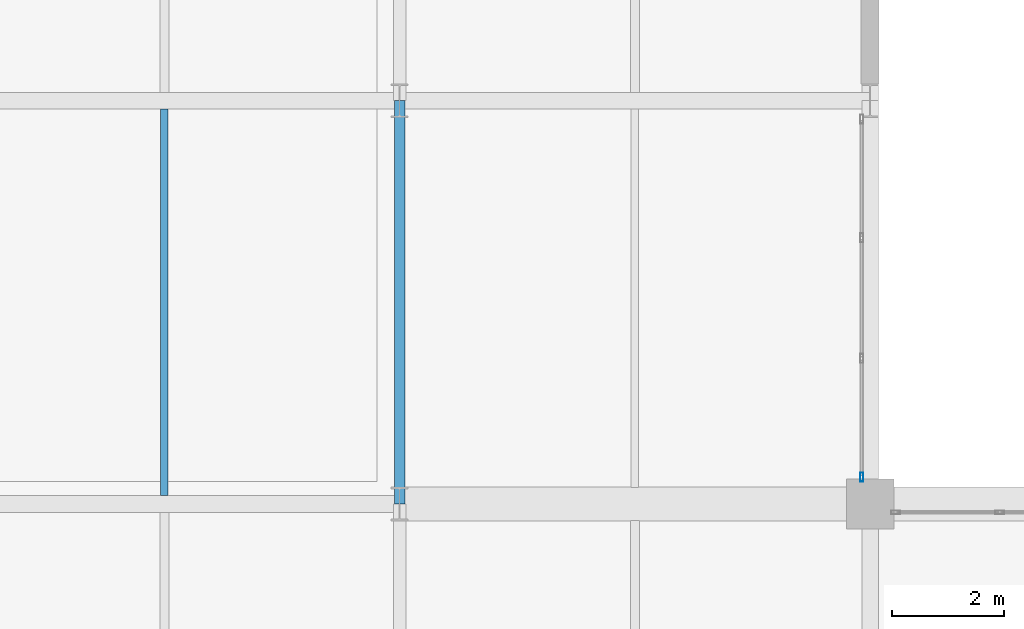
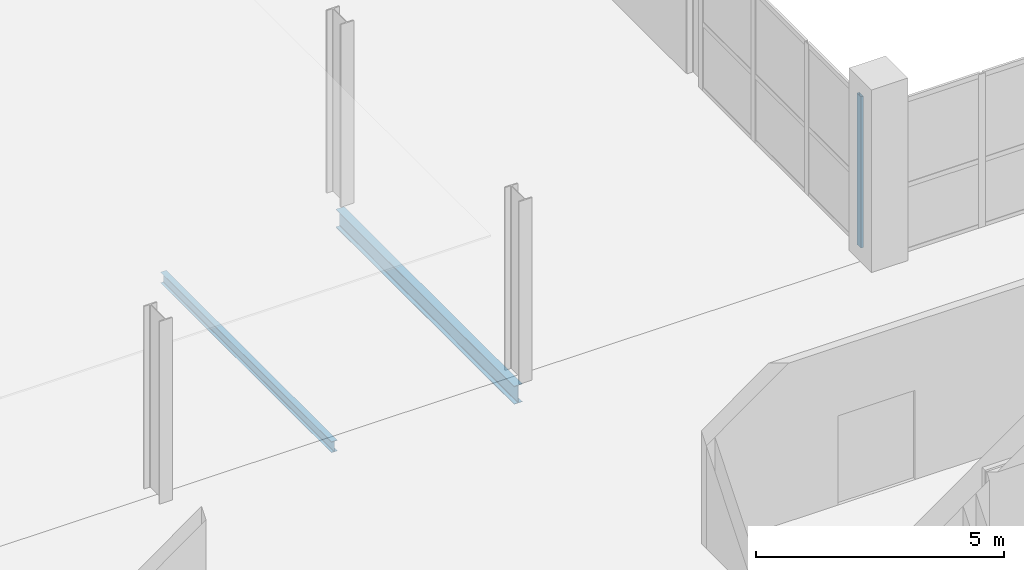
# One storey, part 47 of 130: 2 beams, 1 member, 1 element without a shape of its own.
"""IFC4 building model written with IfcOpenShell, lengths in metres."""

from ifc_helpers import new_model, si_unit, direction, frame, origin, origin_2d, place, context, subcontext, project, spatial, hollow_rectangle, i_section, extrude, material, material_profile, profile_set, type_object, element, aggregate, save


model = new_model("IFC4")

# Units and contexts
model_context = context("Model", 3, precision=1e-05, world=origin(), true_north=direction((0.0, 1.0)))
body_context = subcontext(model_context, "Body", "Model", "MODEL_VIEW")
ifc_project = project(units=[si_unit("LENGTHUNIT", "METRE"), si_unit("AREAUNIT", "SQUARE_METRE"), si_unit("VOLUMEUNIT", "CUBIC_METRE"), si_unit("PLANEANGLEUNIT", "RADIAN"), si_unit("MASSUNIT", "GRAM", prefix="KILO")], contexts=[model_context])

# Site, building, storey
site_placement = place(None, origin())
site = spatial("IfcSite", under=ifc_project, at=site_placement, CompositionType="ELEMENT")
building_placement = place(site_placement, origin())
building = spatial("IfcBuilding", under=site, at=building_placement, Name="Veltarok Museum of Natural Sciences", CompositionType="ELEMENT")
storey_placement = place(building_placement, frame((0.0, 0.0, 12.89990234375)))
storey = spatial("IfcBuildingStorey", under=building, at=storey_placement, Name="L02", CompositionType="ELEMENT", Elevation=12.89990234375)

# Curtain wall, member
ifc_material_1 = material(Name="Low-iron triple insulated glass", Category="glass")
curtain_wall_type = type_object("IfcCurtainWallType", Name="Curtain Wall System CW-V2E-L02-3-645x373 (CW-V2E L02 645x373cm)", PredefinedType="NOTDEFINED", material=ifc_material_1)
curtain_wall_placement = place(storey_placement, origin())
curtain_wall = element("IfcCurtainWall", 1, at=curtain_wall_placement, inside=storey, type_object=curtain_wall_type, Name="Curtain Wall CW-V2E-L02-3-645x373 CW-0131", PredefinedType="NOTDEFINED")
ifc_material_2 = material(Name="Thermally broken anodised aluminium", Category="aluminium")
ifc_material_profile_1 = material_profile(ifc_material_2, hollow_rectangle(XDim=0.06005859375, YDim=0.159912109375, WallThickness=0.0048828125, at=origin_2d()), Name="CW MULLION 60x160x5")
ifc_profile_set_1 = profile_set([ifc_material_profile_1], Name="Thermally broken anodised aluminium")
member_type = type_object("IfcMemberType", Name="Curtain Wall Vertical Mullion 60x160x5", PredefinedType="MULLION", material=ifc_profile_set_1)
member_placement = place(storey_placement, frame((98.64990234375, 19.679931640625, -0.001953125), z_axis=(0.0, 0.0, 1.0), x_axis=(-1.0, 0.0, 0.0)))
member = element("IfcMember", 2, at=member_placement, type_object=member_type, Name="CW-V2E-L02-3-645x373 mullion 1", PredefinedType="MULLION", context=body_context, shape_type="SweptSolid", body=[
    extrude(hollow_rectangle(XDim=0.06005859375, YDim=0.159912109375, WallThickness=0.0048828125, at=origin_2d()), origin(), (0.0, 0.0, 1.0), 3.73193359375),
])
aggregate(curtain_wall, [member])

# Beams
ifc_material_3 = material(Name="Steel S355J2", Category="steel")
ifc_material_profile_2 = material_profile(ifc_material_3, i_section(OverallWidth=0.18994140625, OverallDepth=0.449951171875, WebThickness=0.009521484375, FlangeThickness=0.0146484375, FilletRadius=0.02099609375, at=origin_2d()), Name="IPE 450")
ifc_profile_set_2 = profile_set([ifc_material_profile_2], Name="Steel S355J2")
beam_type_1 = type_object("IfcBeamType", Name="Laboratory Floor Girder IPE 450", PredefinedType="BEAM", material=ifc_profile_set_2)
beam_1_placement = place(storey_placement, frame((90.39990234375, 19.199951171875, -0.474853515625), z_axis=(0.0, 1.0, 0.0), x_axis=(-1.0, 0.0, 0.0)))
element("IfcBeam", 3, at=beam_1_placement, inside=storey, type_object=beam_type_1, Name="Beam BM-G05 L02 11/C-D", PredefinedType="BEAM", context=body_context, shape_type="SweptSolid", body=[
    extrude(i_section(OverallWidth=0.18994140625, OverallDepth=0.449951171875, WebThickness=0.009521484375, FlangeThickness=0.0146484375, FilletRadius=0.02099609375, at=origin_2d()), origin(), (0.0, 0.0, 1.0), 7.199951171875),
])
ifc_material_profile_3 = material_profile(ifc_material_3, i_section(OverallWidth=0.135009765625, OverallDepth=0.27001953125, WebThickness=0.006591796875, FlangeThickness=0.01025390625, FilletRadius=0.014892578125, at=origin_2d()), Name="IPE 270")
ifc_profile_set_3 = profile_set([ifc_material_profile_3], Name="Steel S355J2")
beam_type_2 = type_object("IfcBeamType", Name="Short-Bay Composite Joist IPE 270", PredefinedType="JOIST", material=ifc_profile_set_3)
beam_2_placement = place(storey_placement, frame((86.199951171875, 19.347900390625, -0.385009765625), z_axis=(0.0, 1.0, 0.0), x_axis=(-1.0, 0.0, 0.0)))
element("IfcBeam", 4, at=beam_2_placement, inside=storey, type_object=beam_type_2, Name="Secondary Joist BM-J04 L02 10-11/C-D.1", PredefinedType="JOIST", context=body_context, shape_type="SweptSolid", body=[
    extrude(i_section(OverallWidth=0.135009765625, OverallDepth=0.27001953125, WebThickness=0.006591796875, FlangeThickness=0.01025390625, FilletRadius=0.014892578125, at=origin_2d()), origin(), (0.0, 0.0, 1.0), 6.904052734375),
])

save(model, "model.ifc")
